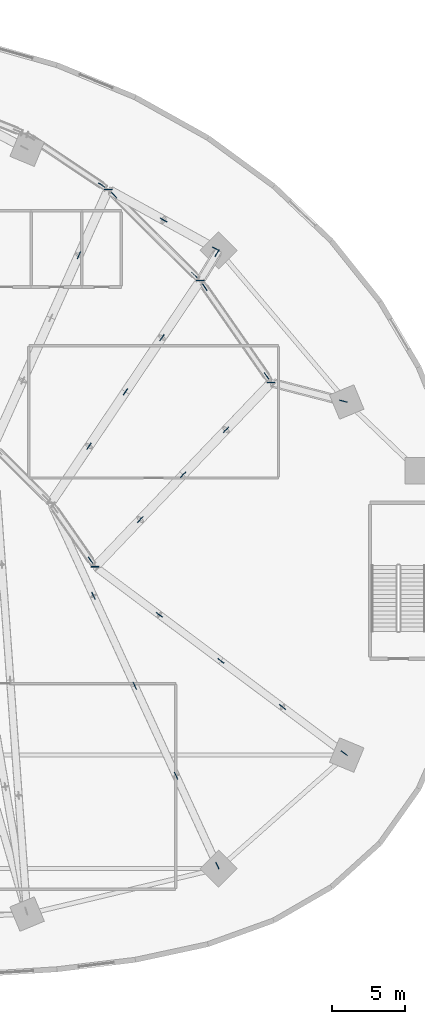
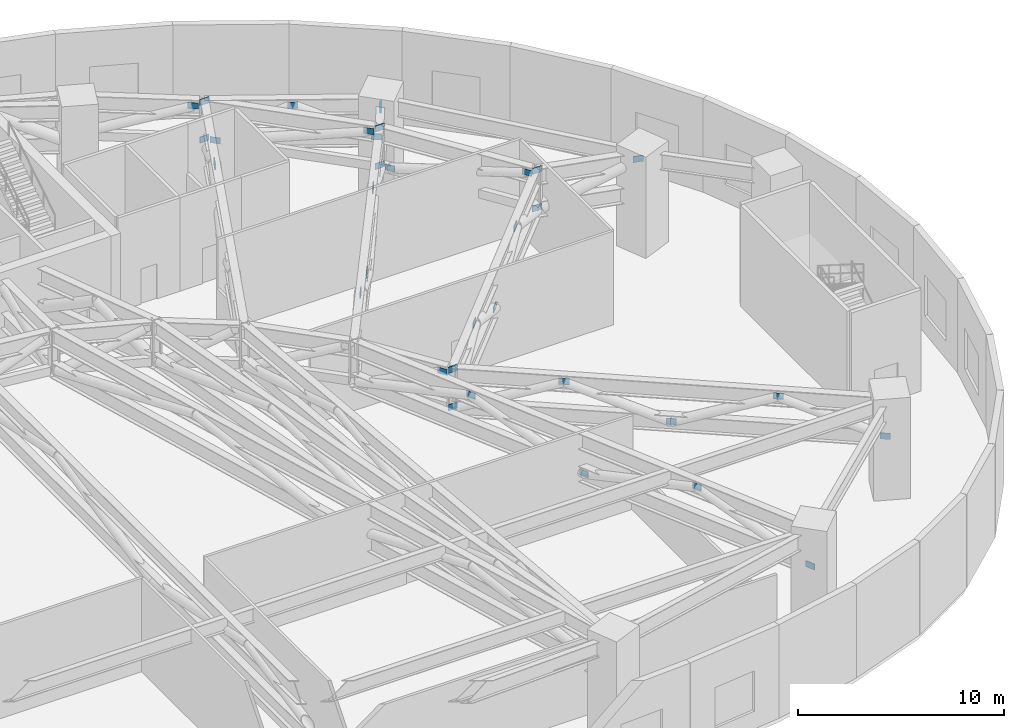
# One storey, part 12 of 19: 33 plates.
"""IFC4 building model written with IfcOpenShell, lengths in metres."""

import ifcopenshell
import ifcopenshell.guid

model = None  # the IFC model being written
_history = None  # IfcOwnerHistory: only IFC2X3 demands one
_inside = {}  # id of a spatial element -> (the spatial element, [elements in it])
_under = {}  # id of a project, library or spatial element -> (it, [spatial elements below it])
_declared = {}  # id of a project -> (the project, [libraries it declares])
_typed = {}  # id of a type object -> (the type object, [elements of that type])
_made_of = {}  # id of a material, layer set ... -> (it, [elements and type objects made of it])


def new_model(schema):
    """Start an empty IFC model of exactly this schema.

    Asked for "IFC4X3", IfcOpenShell would pick the latest addendum, in which some entities
    have other attributes; the version numbers below select the first issue.
    IFC2X3 requires an IfcOwnerHistory on every rooted entity: one is made here for all.
    """
    global model, _history
    if schema == "IFC4X3":
        model = ifcopenshell.file(schema_version=(4, 3, 0, 0))
    else:
        model = ifcopenshell.file(schema=schema)
    _inside.clear()
    _under.clear()
    _declared.clear()
    _typed.clear()
    _made_of.clear()
    _history = None
    if model.schema == "IFC2X3":
        org = make("IfcOrganization", Name="unknown")
        user = make(
            "IfcPersonAndOrganization",
            ThePerson=make("IfcPerson", FamilyName="unknown"),
            TheOrganization=org,
        )
        app = make(
            "IfcApplication",
            ApplicationDeveloper=org,
            Version="unknown",
            ApplicationFullName="unknown",
            ApplicationIdentifier="unknown",
        )
        _history = make(
            "IfcOwnerHistory",
            OwningUser=user,
            OwningApplication=app,
            ChangeAction="ADDED",
            CreationDate=0,
        )
    return model


def make(cls, **values):
    """One entity of the class cls with the attributes given. An attribute that is None is left unset."""
    return model.create_entity(
        cls, **{name: value for name, value in values.items() if value is not None}
    )


def rooted(cls, **values):
    """An entity with a GlobalId (a new one), such as an element, a storey or a relation."""
    return make(cls, GlobalId=ifcopenshell.guid.new(), OwnerHistory=_history, **values)


def si_unit(unit_type, name, prefix=None):
    """IfcSIUnit, for example si_unit("LENGTHUNIT", "METRE", prefix="MILLI")."""
    return make("IfcSIUnit", UnitType=unit_type, Prefix=prefix, Name=name)


def assignment(units):
    """IfcUnitAssignment: the units of a project."""
    return None if units is None else make("IfcUnitAssignment", Units=units)


def point(xyz):
    """IfcCartesianPoint."""
    return None if xyz is None else make("IfcCartesianPoint", Coordinates=xyz)


def direction(xyz):
    """IfcDirection."""
    return None if xyz is None else make("IfcDirection", DirectionRatios=xyz)


def frame(location, z_axis=None, x_axis=None):
    """IfcAxis2Placement3D, a coordinate frame: its origin and axes. An axis left out is left unset."""
    return make(
        "IfcAxis2Placement3D",
        Location=point(location),
        Axis=direction(z_axis),
        RefDirection=direction(x_axis),
    )


def frame_2d(location, x_axis=None):
    """IfcAxis2Placement2D, a coordinate frame in the plane: its origin and x axis."""
    return make(
        "IfcAxis2Placement2D", Location=point(location), RefDirection=direction(x_axis)
    )


def origin():
    """The frame at (0, 0, 0) with its axes left unset."""
    return frame((0.0, 0.0, 0.0))


def origin_2d():
    """The frame at (0, 0) in the plane with its x axis left unset."""
    return frame_2d((0.0, 0.0))


def place(relative_to, where):
    """IfcLocalPlacement: puts the frame where relative to a parent placement (None: the world)."""
    return make(
        "IfcLocalPlacement", PlacementRelTo=relative_to, RelativePlacement=where
    )


def context(
    kind, dimensions, precision=None, world=None, true_north=None, identifier=None
):
    """IfcGeometricRepresentationContext, for example the 3D "Model" context."""
    return make(
        "IfcGeometricRepresentationContext",
        ContextIdentifier=identifier,
        ContextType=kind,
        CoordinateSpaceDimension=dimensions,
        Precision=precision,
        WorldCoordinateSystem=world,
        TrueNorth=true_north,
    )


def subcontext(parent, identifier, kind, view, scale=None):
    """IfcGeometricRepresentationSubContext, for example "Body" below "Model"."""
    return make(
        "IfcGeometricRepresentationSubContext",
        ContextIdentifier=identifier,
        ContextType=kind,
        ParentContext=parent,
        TargetScale=scale,
        TargetView=view,
    )


def project(units=None, contexts=None):
    """IfcProject with its units and contexts."""
    return rooted(
        "IfcProject",
        Name="project",
        RepresentationContexts=contexts,
        UnitsInContext=assignment(units),
    )


def spatial(cls, under=None, at=None, **own):
    """A site, building, storey or space (cls), placed at a placement, below another one or the project."""
    s = rooted(cls, ObjectPlacement=at, **own)
    if under is not None:
        _under.setdefault(under.id(), (under, []))[1].append(s)
    return s


def profile(cls, at=None, kind="AREA", **sizes):
    """A parametric profile (cls). Its sizes go by their IFC names, for example OverallWidth=200.0."""
    return make(cls, ProfileType=kind, Position=at, **sizes)


def rectangle(**sizes):
    """IfcRectangleProfileDef."""
    return profile("IfcRectangleProfileDef", **sizes)


def extrude(swept, where, along, depth):
    """IfcExtrudedAreaSolid: the profile swept, set in the frame where, extruded along a direction by depth."""
    return make(
        "IfcExtrudedAreaSolid",
        SweptArea=swept,
        Position=where,
        ExtrudedDirection=direction(along),
        Depth=depth,
    )


def shape(context_of_items, identifier, shape_type, items):
    """IfcShapeRepresentation: the items that make up one representation, for example the "Body"."""
    return make(
        "IfcShapeRepresentation",
        ContextOfItems=context_of_items,
        RepresentationIdentifier=identifier,
        RepresentationType=shape_type,
        Items=items,
    )


def source(mapping_origin, context_of_items, identifier, shape_type, items):
    """IfcRepresentationMap: a shape defined once, which mapped items show again and again."""
    return make(
        "IfcRepresentationMap",
        MappingOrigin=mapping_origin,
        MappedRepresentation=shape(context_of_items, identifier, shape_type, items),
    )


def transform(
    local_origin,
    x_axis=None,
    y_axis=None,
    z_axis=None,
    scale=None,
    scale2=None,
    scale3=None,
    uniform=True,
):
    """IfcCartesianTransformationOperator3D, or its non-uniform kind. x_axis, y_axis, z_axis: its Axis1, 2, 3."""
    if uniform:
        return make(
            "IfcCartesianTransformationOperator3D",
            Axis1=direction(x_axis),
            Axis2=direction(y_axis),
            LocalOrigin=point(local_origin),
            Scale=scale,
            Axis3=direction(z_axis),
        )
    return make(
        "IfcCartesianTransformationOperator3DnonUniform",
        Axis1=direction(x_axis),
        Axis2=direction(y_axis),
        LocalOrigin=point(local_origin),
        Scale=scale,
        Axis3=direction(z_axis),
        Scale2=scale2,
        Scale3=scale3,
    )


def mapped(mapping_source, mapping_target):
    """IfcMappedItem: shows the shape of a source again, moved by a transform."""
    return make(
        "IfcMappedItem", MappingSource=mapping_source, MappingTarget=mapping_target
    )


def material(Name=None, Category=None):
    """IfcMaterial."""
    return make("IfcMaterial", Name=Name, Category=Category)


def layer(
    of_material, thickness, ventilated=None, Name=None, Category=None, Priority=None
):
    """IfcMaterialLayer: one layer of a wall or slab, of a material (None: an air gap)."""
    return make(
        "IfcMaterialLayer",
        Material=of_material,
        LayerThickness=thickness,
        IsVentilated=ventilated,
        Name=Name,
        Category=Category,
        Priority=Priority,
    )


def layer_set(layers, Name=None):
    """IfcMaterialLayerSet."""
    return make("IfcMaterialLayerSet", MaterialLayers=layers, LayerSetName=Name)


def made_of(thing, what):
    """Note that an element or type object is made of a material, layer set ...; save() writes the relation."""
    if what is not None:
        _made_of.setdefault(what.id(), (what, []))[1].append(thing)
    return thing


def type_object(cls, material=None, **own):
    """A type object (cls), such as IfcWallType, which elements share."""
    return made_of(rooted(cls, **own), material)


def element(
    cls,
    number,
    at=None,
    inside=None,
    cuts=None,
    type_object=None,
    material=None,
    context=None,
    identifier="Body",
    shape_type=None,
    held_by="IfcProductDefinitionShape",
    body=None,
    shapes=None,
    **own,
):
    """One element of the class cls, such as IfcWall. Its Tag is "e" and its number.

    at: its placement. inside: the storey or other place that contains it. cuts: it is an
    opening in that element (IfcRelVoidsElement). A single representation is given by context,
    identifier, shape_type and body (its items); several are given by shapes. held_by: the class
    of the entity that holds the representations. save() writes the other relations.
    """
    e = rooted(cls, Tag="e%d" % number, ObjectPlacement=at, **own)
    if body is not None:
        shapes = [shape(context, identifier, shape_type, body)]
    if shapes is not None:
        e.Representation = make(held_by, Representations=shapes)
    if inside is not None:
        _inside.setdefault(inside.id(), (inside, []))[1].append(e)
    if cuts is not None:
        rooted(
            "IfcRelVoidsElement", RelatingBuildingElement=cuts, RelatedOpeningElement=e
        )
    if type_object is not None:
        _typed.setdefault(type_object.id(), (type_object, []))[1].append(e)
    return made_of(e, material)


def aggregate(whole, parts):
    """IfcRelAggregates: a whole, such as a stair, and the parts it consists of."""
    return rooted("IfcRelAggregates", RelatingObject=whole, RelatedObjects=parts)


def save(model, path):
    """Write the relations noted so far, then the file.

    IfcRelAggregates (storeys below a building ...), IfcRelContainedInSpatialStructure (elements
    in a storey), IfcRelDefinesByType, IfcRelAssociatesMaterial and IfcRelDeclares: one each for
    every whole, place, type object, material and project.
    """
    for whole, parts in _under.values():
        aggregate(whole, parts)
    for where, things in _inside.values():
        rooted(
            "IfcRelContainedInSpatialStructure",
            RelatedElements=things,
            RelatingStructure=where,
        )
    for kind, things in _typed.values():
        rooted("IfcRelDefinesByType", RelatedObjects=things, RelatingType=kind)
    for what, things in _made_of.values():
        rooted("IfcRelAssociatesMaterial", RelatedObjects=things, RelatingMaterial=what)
    for by, libraries in _declared.values():
        rooted("IfcRelDeclares", RelatingContext=by, RelatedDefinitions=libraries)
    model.write(path)


model = new_model("IFC4")

# Units and contexts
model_context = context("Model", 3, precision=1e-05, world=origin(), true_north=direction((0.0, 1.0)))
body_context = subcontext(model_context, "Body", "Model", "MODEL_VIEW")
ifc_project = project(units=[si_unit("LENGTHUNIT", "METRE"), si_unit("AREAUNIT", "SQUARE_METRE"), si_unit("VOLUMEUNIT", "CUBIC_METRE"), si_unit("PLANEANGLEUNIT", "RADIAN"), si_unit("MASSUNIT", "GRAM", prefix="KILO")], contexts=[model_context])

# Site, building, storey
site_placement = place(None, origin())
site = spatial("IfcSite", under=ifc_project, at=site_placement, CompositionType="ELEMENT")
building_placement = place(site_placement, origin())
building = spatial("IfcBuilding", under=site, at=building_placement, Name="Breltana Convention Tower", CompositionType="ELEMENT")
storey_placement = place(building_placement, frame((0.0, 0.0, 24.0)))
storey = spatial("IfcBuildingStorey", under=building, at=storey_placement, Name="L04", CompositionType="ELEMENT", Elevation=24.0)

# Plates
ifc_material = material(Name="Steel S355", Category="steel")
ifc_layer = layer(ifc_material, 0.0400390625, Name="Steel S355")
ifc_layer_set = layer_set([ifc_layer], Name="Steel S355")
plate_type = type_object("IfcPlateType", Name="PL-GUSSET-40", PredefinedType="USERDEFINED", material=ifc_layer_set)
shared_shape = source(origin(), body_context, "Body", "SweptSolid", [
    extrude(rectangle(XDim=0.52001953125, YDim=0.0400390625, at=origin_2d()), origin(), (0.0, 0.0, 1.0), 0.360107421875),
])
for number, where, z_axis, x_axis, name in (
    (1, (68.910400390625, 68.63330078125, 2.96337890625), (0.0, 0.0, 1.0), (1.0, 0.0, 0.0), "L04 Structural Brace Node Gusset Plate 035"),
    (2, (68.910400390625, 68.63330078125, 5.18994140625), (0.0, 0.0, 1.0), (1.0, 0.0, 0.0), "L04 Structural Brace Node Gusset Plate 036"),
    (3, (75.166748046875, 62.43017578125, 2.96337890625), (0.0, 0.0, 1.0), (1.0, 0.0, 0.0), "L04 Structural Brace Node Gusset Plate 039"),
    (4, (75.166748046875, 62.43017578125, 5.18994140625), (0.0, 0.0, 1.0), (1.0, 0.0, 0.0), "L04 Structural Brace Node Gusset Plate 040"),
    (5, (68.015380859375, 42.95458984375, 2.96337890625), (0.0, 0.0, 1.0), (1.0, 0.0, 0.0), "L04 Structural Brace Node Gusset Plate 041"),
    (6, (68.015380859375, 42.95458984375, 5.18994140625), (0.0, 0.0, 1.0), (1.0, 0.0, 0.0), "L04 Structural Brace Node Gusset Plate 042"),
    (7, (79.9931640625, 55.494384765625, 2.96337890625), (0.0, 0.0, 1.0), (1.0, 0.0, 0.0), "L04 Structural Brace Node Gusset Plate 043"),
    (8, (79.9931640625, 55.494384765625, 5.18994140625), (0.0, 0.0, 1.0), (1.0, 0.0, 0.0), "L04 Structural Brace Node Gusset Plate 044"),
    (9, (66.908447265625, 64.168212890625, 4.89599609375), (0.0, 0.0, 1.0), (0.409126902895, 0.912477494148, 0.0), "L04 Structural Brace Node Gusset Plate 106"),
    (10, (72.668212890625, 66.559814453125, 4.89599609375), (0.0, 0.0, 1.0), (0.875548862354, -0.48312957851, 0.0), "L04 Structural Brace Node Gusset Plate 107"),
    (11, (76.233154296875, 64.59228515625, 2.96337890625), (0.0, 0.0, 1.0), (0.875548862354, -0.48312957851, 0.0), "L04 Structural Brace Node Gusset Plate 108"),
    (12, (76.333984375, 22.612060546875, 2.96337890625), (0.0, 0.0, 1.0), (-0.417391322773, 0.908726847669, 0.0), "L04 Structural Brace Node Gusset Plate 109"),
    (13, (73.522216796875, 28.732421875, 4.89599609375), (0.0, 0.0, 1.0), (-0.417391322773, 0.908726847669, 0.0), "L04 Structural Brace Node Gusset Plate 110"),
    (14, (70.710693359375, 34.852783203125, 2.96337890625), (0.0, 0.0, 1.0), (-0.417391322773, 0.908726847669, 0.0), "L04 Structural Brace Node Gusset Plate 111"),
    (15, (67.8994140625, 40.973388671875, 4.89599609375), (0.0, 0.0, 1.0), (-0.417391322773, 0.908726847669, 0.0), "L04 Structural Brace Node Gusset Plate 112"),
    (16, (67.60009765625, 51.169189453125, 4.89599609375), (0.0, 0.0, 1.0), (0.55774510898, 0.830012285095, 0.0), "L04 Structural Brace Node Gusset Plate 113"),
    (17, (70.081298828125, 54.86181640625, 2.96337890625), (0.0, 0.0, 1.0), (0.55774510898, 0.830012285095, 0.0), "L04 Structural Brace Node Gusset Plate 114"),
    (18, (72.5625, 58.5546875, 4.89599609375), (0.0, 0.0, 1.0), (0.55774510898, 0.830012285095, 0.0), "L04 Structural Brace Node Gusset Plate 115"),
    (19, (76.310791015625, 64.29833984375, 4.89599609375), (0.0, 0.0, 1.0), (0.522200905326, 0.85282249881, 0.0), "L04 Structural Brace Node Gusset Plate 116"),
    (20, (84.9638671875, 30.268798828125, 2.96337890625), (0.0, 0.0, 1.0), (-0.800522223488, 0.599303069992, 0.0), "L04 Structural Brace Node Gusset Plate 117"),
    (21, (80.770751953125, 33.4072265625, 4.89599609375), (0.0, 0.0, 1.0), (-0.800522223488, 0.599303069992, 0.0), "L04 Structural Brace Node Gusset Plate 118"),
    (22, (76.57763671875, 36.5458984375, 2.96337890625), (0.0, 0.0, 1.0), (-0.800626809413, 0.59916334338, 0.0), "L04 Structural Brace Node Gusset Plate 119"),
    (23, (72.384765625, 39.684326171875, 4.89599609375), (0.0, 0.0, 1.0), (-0.800522223488, 0.599303069992, 0.0), "L04 Structural Brace Node Gusset Plate 120"),
    (24, (71.0859375, 46.169189453125, 4.89599609375), (0.0, 0.0, 1.0), (0.690756218984, 0.723087716626, 0.0), "L04 Structural Brace Node Gusset Plate 121"),
    (25, (74.00439453125, 49.224609375, 2.96337890625), (0.0, 0.0, 1.0), (0.690756218984, 0.723087716626, 0.0), "L04 Structural Brace Node Gusset Plate 122"),
    (26, (76.9228515625, 52.27978515625, 4.89599609375), (0.0, 0.0, 1.0), (0.690756218984, 0.723087716626, 0.0), "L04 Structural Brace Node Gusset Plate 123"),
    (27, (84.927001953125, 54.22412109375, 4.89599609375), (0.0, 0.0, 1.0), (0.968409306811, -0.249366025115, 0.0), "L04 Structural Brace Node Gusset Plate 124"),
    (28, (68.453125, 68.938720703125, 4.89599609375), (0.0, 0.0, 1.0), (0.831469612303, -0.55557023302, 0.0), "L04 Structural Brace Node Gusset Plate 156"),
    (29, (69.301025390625, 68.24609375, 2.96337890625), (0.0, 0.0, 1.0), (0.710062491058, -0.704138664464, 0.0), "L04 Structural Brace Node Gusset Plate 159"),
    (30, (74.776123046875, 62.8173828125, 4.89599609375), (0.0, 0.0, 1.0), (0.710062491058, -0.704138664464, 0.0), "L04 Structural Brace Node Gusset Plate 160"),
    (31, (67.701416015625, 43.406005859375, 4.89599609375), (0.0, 0.0, 1.0), (0.571143442153, -0.820850271661, 0.0), "L04 Structural Brace Node Gusset Plate 162"),
    (32, (75.48095703125, 61.978759765625, 2.96337890625), (0.0, 0.0, 1.0), (0.571143442153, -0.820850271661, 0.0), "L04 Structural Brace Node Gusset Plate 163"),
    (33, (79.678955078125, 55.94580078125, 4.89599609375), (0.0, 0.0, 1.0), (0.571143442153, -0.820850271661, 0.0), "L04 Structural Brace Node Gusset Plate 164"),
):
    element("IfcPlate", number, at=place(storey_placement, frame(where, z_axis=z_axis, x_axis=x_axis)), inside=storey, type_object=plate_type, Name=name, ObjectType="GUSSET_PLATE", PredefinedType="USERDEFINED", context=body_context, shape_type="MappedRepresentation", body=[
        mapped(shared_shape, transform((0.0, 0.0, 0.0), scale=1.0)),
    ])

save(model, "model.ifc")
